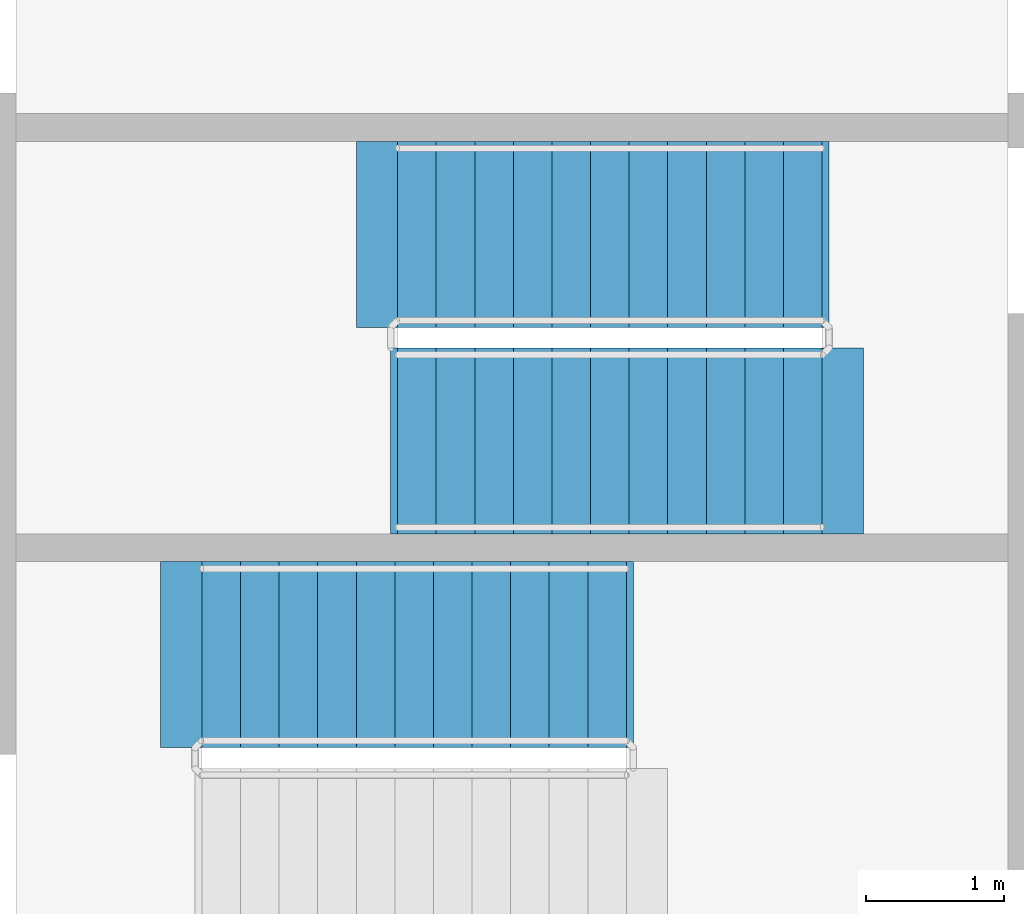
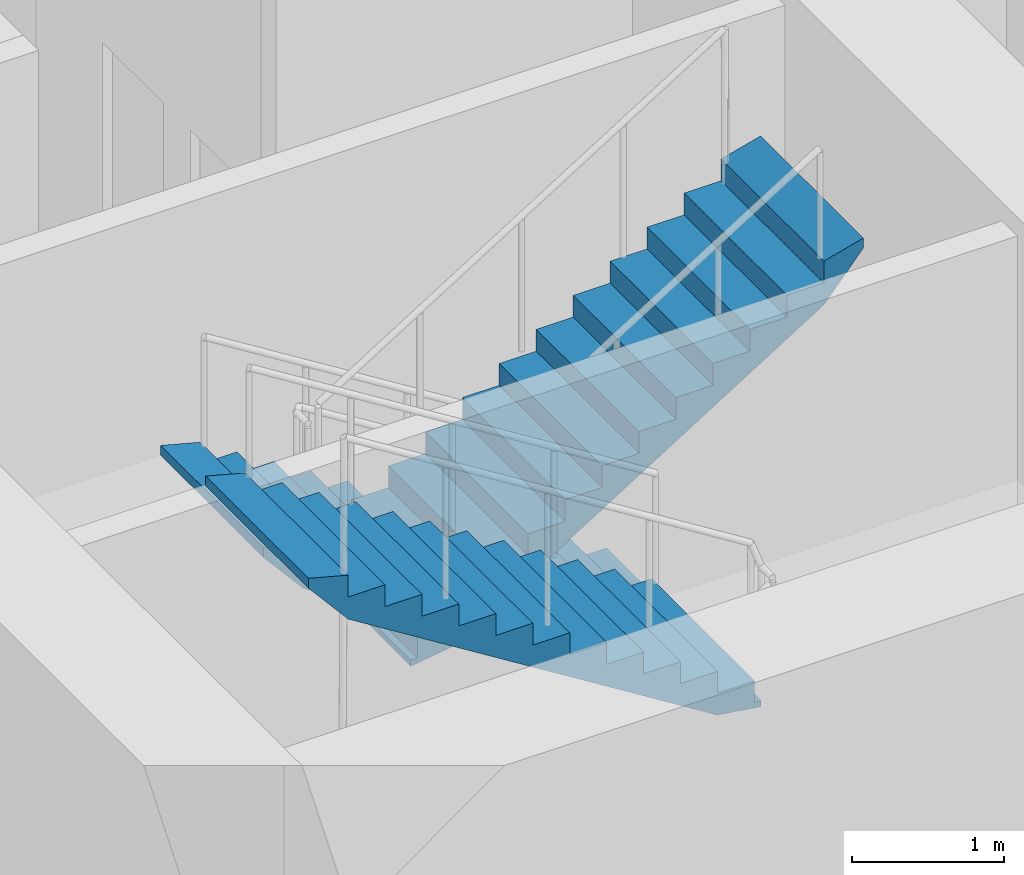
# One storey, part 19 of 23: 3 stair flights, 2 elements without a shape of their own.
"""IFC4 building model written with IfcOpenShell, lengths in metres."""

from ifc_helpers import new_model, si_unit, direction, frame, origin, place, context, subcontext, project, spatial, polyline, outline, extrude, material, type_object, element, aggregate, save


model = new_model("IFC4")

# Units and contexts
model_context = context("Model", 3, precision=1e-05, world=origin(), true_north=direction((0.0, 1.0)))
body_context = subcontext(model_context, "Body", "Model", "MODEL_VIEW")
ifc_project = project(units=[si_unit("LENGTHUNIT", "METRE"), si_unit("AREAUNIT", "SQUARE_METRE"), si_unit("VOLUMEUNIT", "CUBIC_METRE"), si_unit("PLANEANGLEUNIT", "RADIAN"), si_unit("MASSUNIT", "GRAM", prefix="KILO")], contexts=[model_context])

# Site, building, storey
site_placement = place(None, origin())
site = spatial("IfcSite", under=ifc_project, at=site_placement, CompositionType="ELEMENT")
building_placement = place(site_placement, origin())
building = spatial("IfcBuilding", under=site, at=building_placement, Name="Zarbagh Exchange Tower", CompositionType="ELEMENT")
storey_placement = place(building_placement, frame((0.0, 0.0, 77.39990234375)))
storey = spatial("IfcBuildingStorey", under=building, at=storey_placement, Name="L17", CompositionType="ELEMENT", Elevation=77.39990234375)

# Stair, stair flights
ifc_material = material(Name="Concrete C40/50", Category="concrete")
stair_type = type_object("IfcStairType", Name="Exit stair two-flight half-turn", PredefinedType="HALF_TURN_STAIR", material=ifc_material)
stair_1_placement = place(storey_placement, origin())
stair_1 = element("IfcStair", 1, at=stair_1_placement, inside=storey, type_object=stair_type, Name="exit stair ST1", PredefinedType="HALF_TURN_STAIR")
stair_flight_type = type_object("IfcStairFlightType", Name="Stair flight 1350 mm", PredefinedType="STRAIGHT", material=ifc_material)
stair_flight_1_placement = place(storey_placement, frame((2.25, 17.375, 0.0), z_axis=(0.0, 0.0, 1.0), x_axis=(-1.0, 0.0, 0.0)))
stair_flight_1 = element("IfcStairFlight", 2, at=stair_flight_1_placement, type_object=stair_flight_type, Name="ST1 flight 1", NumberOfRisers=12, NumberOfTreads=11, PredefinedType="STRAIGHT", RiserHeight=0.175, TreadLength=0.28, context=body_context, shape_type="SweptSolid", body=[
    extrude(outline(polyline([(-0.050048828125, -0.050048828125), (-0.050048828125, 0.0), (0.0, 0.0), (0.0, 0.175048828125), (0.280029296875, 0.175048828125), (0.280029296875, 0.35009765625), (0.56005859375, 0.35009765625), (0.56005859375, 0.52490234375), (0.840087890625, 0.52490234375), (0.840087890625, 0.699951171875), (1.1201171875, 0.699951171875), (1.1201171875, 0.875), (1.39990234375, 0.875), (1.39990234375, 1.050048828125), (1.679931640625, 1.050048828125), (1.679931640625, 1.22509765625), (1.9599609375, 1.22509765625), (1.9599609375, 1.39990234375), (2.239990234375, 1.39990234375), (2.239990234375, 1.574951171875), (2.52001953125, 1.574951171875), (2.52001953125, 1.75), (2.800048828125, 1.75), (2.800048828125, 1.925048828125), (3.080078125, 1.925048828125), (3.080078125, 2.10009765625), (3.3798828125, 2.179931640625), (3.3798828125, 2.10009765625), (3.080078125, 1.748291015625), (0.28271484375, 0.0), (-0.050048828125, -0.050048828125)])), frame((0.0, 0.675048828125, 0.0), z_axis=(0.0, -1.0, 0.0), x_axis=(1.0, 0.0, 0.0)), (0.0, 0.0, 1.0), 1.35009765625),
])
stair_flight_2_placement = place(storey_placement, frame((-0.830078125, 15.875, 2.10009765625), z_axis=(0.0, 0.0, 1.0), x_axis=(1.0, 0.0, 0.0)))
stair_flight_2 = element("IfcStairFlight", 3, at=stair_flight_2_placement, type_object=stair_flight_type, Name="ST1 flight 2", NumberOfRisers=12, NumberOfTreads=11, PredefinedType="STRAIGHT", RiserHeight=0.175, TreadLength=0.28, context=body_context, shape_type="SweptSolid", body=[
    extrude(outline(polyline([(-0.050048828125, -0.050048828125), (-0.050048828125, 0.0), (0.0, 0.0), (0.0, 0.175048828125), (0.280029296875, 0.175048828125), (0.280029296875, 0.35009765625), (0.56005859375, 0.35009765625), (0.56005859375, 0.52490234375), (0.840087890625, 0.52490234375), (0.840087890625, 0.699951171875), (1.1201171875, 0.699951171875), (1.1201171875, 0.875), (1.39990234375, 0.875), (1.39990234375, 1.050048828125), (1.679931640625, 1.050048828125), (1.679931640625, 1.22509765625), (1.9599609375, 1.22509765625), (1.9599609375, 1.39990234375), (2.239990234375, 1.39990234375), (2.239990234375, 1.574951171875), (2.52001953125, 1.574951171875), (2.52001953125, 1.75), (2.800048828125, 1.75), (2.800048828125, 1.925048828125), (3.080078125, 1.925048828125), (3.080078125, 2.10009765625), (3.3798828125, 2.179931640625), (3.3798828125, 2.10009765625), (3.080078125, 1.748291015625), (0.28271484375, 0.0), (-0.050048828125, -0.050048828125)])), frame((0.0, 0.675048828125, 0.0), z_axis=(0.0, -1.0, 0.0), x_axis=(1.0, 0.0, 0.0)), (0.0, 0.0, 1.0), 1.35009765625),
])
aggregate(stair_1, [stair_flight_1, stair_flight_2])

# Stair, stair flight
stair_2_placement = place(storey_placement, origin())
stair_2 = element("IfcStair", 4, at=stair_2_placement, inside=storey, type_object=stair_type, Name="exit stair ST2", PredefinedType="HALF_TURN_STAIR")
stair_flight_3_placement = place(storey_placement, frame((0.830078125, 14.324951171875, 2.10009765625), z_axis=(0.0, 0.0, 1.0), x_axis=(-1.0, 0.0, 0.0)))
stair_flight_3 = element("IfcStairFlight", 5, at=stair_flight_3_placement, type_object=stair_flight_type, Name="ST2 flight 2", NumberOfRisers=12, NumberOfTreads=11, PredefinedType="STRAIGHT", RiserHeight=0.175, TreadLength=0.28, context=body_context, shape_type="SweptSolid", body=[
    extrude(outline(polyline([(-0.050048828125, -0.050048828125), (-0.050048828125, 0.0), (0.0, 0.0), (0.0, 0.175048828125), (0.280029296875, 0.175048828125), (0.280029296875, 0.35009765625), (0.56005859375, 0.35009765625), (0.56005859375, 0.52490234375), (0.840087890625, 0.52490234375), (0.840087890625, 0.699951171875), (1.1201171875, 0.699951171875), (1.1201171875, 0.875), (1.39990234375, 0.875), (1.39990234375, 1.050048828125), (1.679931640625, 1.050048828125), (1.679931640625, 1.22509765625), (1.9599609375, 1.22509765625), (1.9599609375, 1.39990234375), (2.239990234375, 1.39990234375), (2.239990234375, 1.574951171875), (2.52001953125, 1.574951171875), (2.52001953125, 1.75), (2.800048828125, 1.75), (2.800048828125, 1.925048828125), (3.080078125, 1.925048828125), (3.080078125, 2.10009765625), (3.3798828125, 2.179931640625), (3.3798828125, 2.10009765625), (3.080078125, 1.748291015625), (0.28271484375, 0.0), (-0.050048828125, -0.050048828125)])), frame((0.0, 0.675048828125, 0.0), z_axis=(0.0, -1.0, 0.0), x_axis=(1.0, 0.0, 0.0)), (0.0, 0.0, 1.0), 1.35009765625),
])
aggregate(stair_2, [stair_flight_3])

save(model, "model.ifc")
